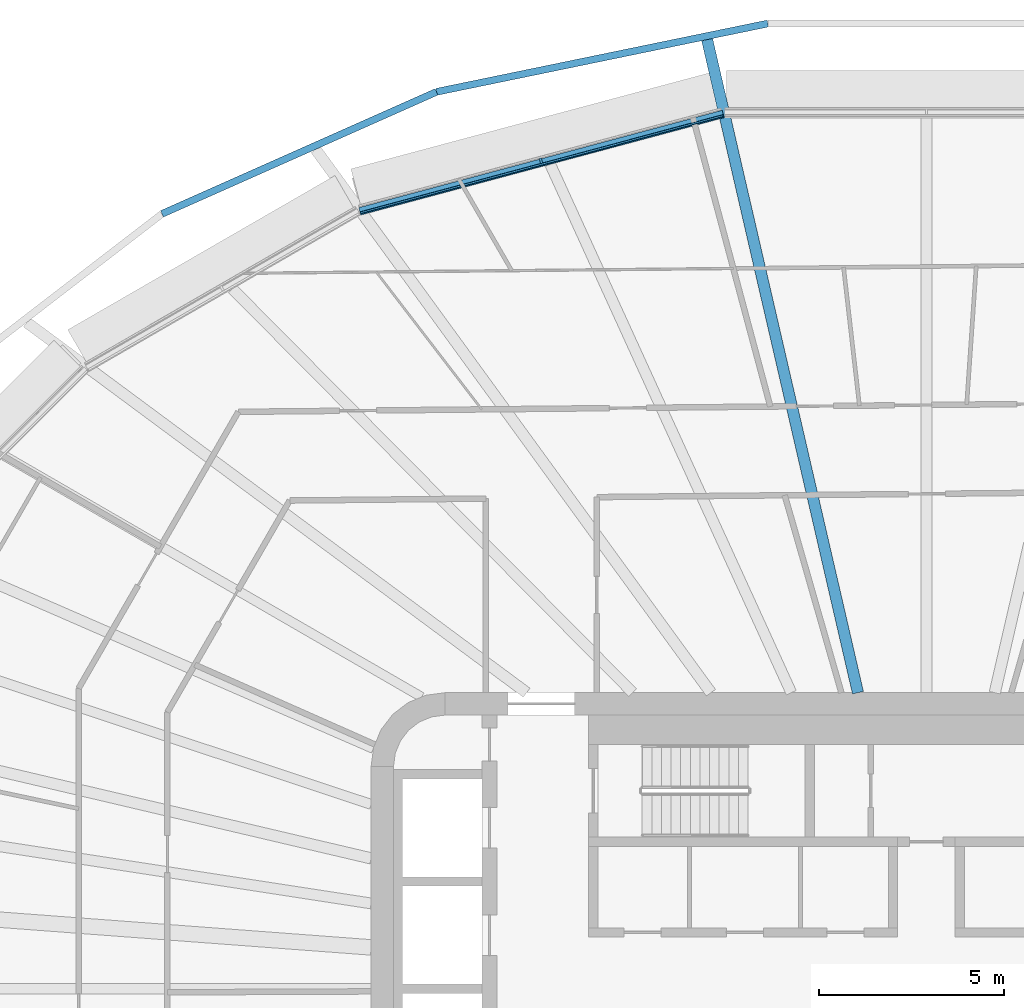
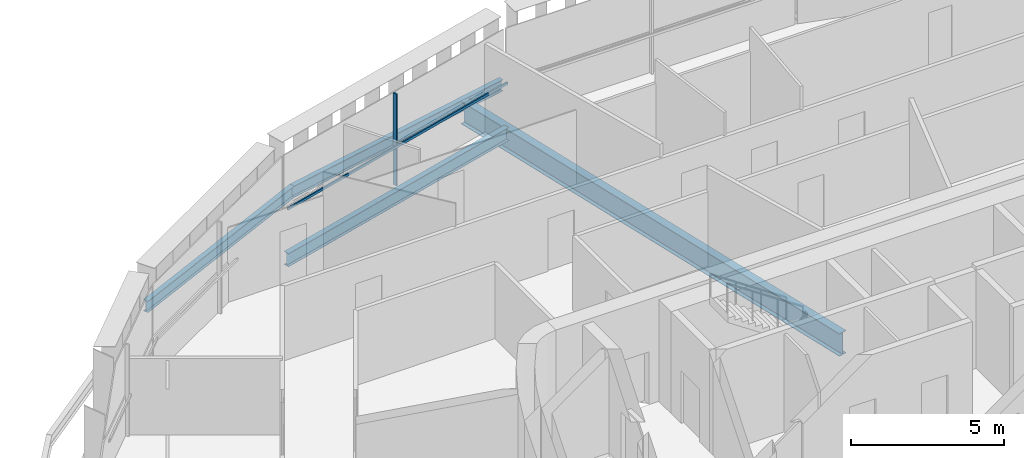
# One storey, part 8 of 26: 4 beams, 2 members, 1 element without a shape of its own.
"""IFC4 building model written with IfcOpenShell, lengths in metres."""

from ifc_helpers import new_model, si_unit, direction, frame, origin, origin_2d, place, context, subcontext, project, spatial, rectangle, i_section, extrude, material, layer, layer_set, material_profile, profile_set, type_object, element, aggregate, save


model = new_model("IFC4")

# Units and contexts
model_context = context("Model", 3, precision=1e-05, world=origin(), true_north=direction((0.0, 1.0)))
body_context = subcontext(model_context, "Body", "Model", "MODEL_VIEW")
ifc_project = project(units=[si_unit("LENGTHUNIT", "METRE"), si_unit("AREAUNIT", "SQUARE_METRE"), si_unit("VOLUMEUNIT", "CUBIC_METRE"), si_unit("PLANEANGLEUNIT", "RADIAN"), si_unit("MASSUNIT", "GRAM", prefix="KILO")], contexts=[model_context])

# Site, building, storey
site_placement = place(None, origin())
site = spatial("IfcSite", under=ifc_project, at=site_placement, CompositionType="ELEMENT")
building_placement = place(site_placement, origin())
building = spatial("IfcBuilding", under=site, at=building_placement, Name="Sahrelin Media Tower", CompositionType="ELEMENT")
storey_placement = place(building_placement, frame((0.0, 0.0, 88.199951171875)))
storey = spatial("IfcBuildingStorey", under=building, at=storey_placement, Name="L16", CompositionType="ELEMENT", Elevation=88.199951171875)

# Beam
ifc_material_1 = material(Name="Steel S355", Category="steel")
ifc_material_profile_1 = material_profile(ifc_material_1, i_section(OverallWidth=0.208740234375, OverallDepth=0.5283203125, WebThickness=0.009521484375, FlangeThickness=0.01318359375, FilletRadius=0.0126953125, at=origin_2d()), Name="UB 533x210x82")
ifc_profile_set_1 = profile_set([ifc_material_profile_1], Name="Steel S355")
beam_type_1 = type_object("IfcBeamType", Name="Edge beam EB6", PredefinedType="BEAM", material=ifc_profile_set_1)
beam_1_placement = place(storey_placement, frame((-15.306396484375, 21.001708984375, -0.4140625), z_axis=(0.965923284876, 0.258828529599, 0.0), x_axis=(-0.258828529599, 0.965923284876, 0.0)))
element("IfcBeam", 1, at=beam_1_placement, inside=storey, type_object=beam_type_1, Name="Edge beam L16-18", PredefinedType="BEAM", context=body_context, shape_type="SweptSolid", body=[
    extrude(i_section(OverallWidth=0.208740234375, OverallDepth=0.5283203125, WebThickness=0.009521484375, FlangeThickness=0.01318359375, FilletRadius=0.0126953125, at=origin_2d()), origin(), (0.0, 0.0, 1.0), 10.16455078125),
])

# Curtain wall, member
ifc_material_2 = material(Name="Champagne anodised aluminium 6063-T6", Category="aluminium")
ifc_layer = layer(ifc_material_2, 0.14990234375)
ifc_layer_set = layer_set([ifc_layer], Name="Tower ribbon curtain wall")
curtain_wall_type = type_object("IfcCurtainWallType", Name="Tower ribbon curtain wall", PredefinedType="NOTDEFINED", material=ifc_layer_set)
curtain_wall_placement = place(storey_placement, frame((-10.436279296875, 22.462158203125, 0.0), z_axis=(0.0, 0.0, 1.0), x_axis=(1.0, 0.0, 0.0)))
curtain_wall = element("IfcCurtainWall", 2, at=curtain_wall_placement, inside=storey, type_object=curtain_wall_type, Name="L16:CW:L16-07", PredefinedType="NOTDEFINED")
ifc_material_profile_2 = material_profile(ifc_material_2, rectangle(XDim=0.06005859375, YDim=0.14990234375, at=origin_2d()), Name="Mullion 60x150")
ifc_profile_set_2 = profile_set([ifc_material_profile_2], Name="Champagne anodised aluminium 6063-T6")
member_type_1 = type_object("IfcMemberType", Name="Mullion 60x150 CW1", PredefinedType="MULLION", material=ifc_profile_set_2)
member_1_placement = place(storey_placement, frame((-10.41162109375, 22.370361328125, 0.0), z_axis=(0.0, 0.0, 1.0), x_axis=(-0.965926278012, -0.258817359244, 0.0)))
member_1 = element("IfcMember", 3, at=member_1_placement, type_object=member_type_1, Name="L16:CWM:L16-07", PredefinedType="MULLION", context=body_context, shape_type="SweptSolid", body=[
    extrude(rectangle(XDim=0.06005859375, YDim=0.14990234375, at=origin_2d()), origin(), (0.0, 0.0, 1.0), 3.648681640625),
])

# Beams
ifc_material_profile_3 = material_profile(ifc_material_1, i_section(OverallWidth=0.30322265625, OverallDepth=0.903076171875, WebThickness=0.01513671875, FlangeThickness=0.020263671875, FilletRadius=0.01904296875, at=origin_2d()), Name="UB 914x305x201")
ifc_profile_set_3 = profile_set([ifc_material_profile_3], Name="Steel S355")
beam_type_2 = type_object("IfcBeamType", Name="Radial primary beam PB11", PredefinedType="BEAM", material=ifc_profile_set_3)
beam_2_placement = place(storey_placement, frame((-1.847900390625, 8.0, -0.6015625), z_axis=(-0.225045636479, 0.974348223944, 0.0), x_axis=(-0.974348223944, -0.225045636479, 0.0)))
element("IfcBeam", 4, at=beam_2_placement, inside=storey, type_object=beam_type_2, Name="Radial beam L16-07", PredefinedType="BEAM", context=body_context, shape_type="SweptSolid", body=[
    extrude(i_section(OverallWidth=0.30322265625, OverallDepth=0.903076171875, WebThickness=0.01513671875, FlangeThickness=0.020263671875, FilletRadius=0.01904296875, at=origin_2d()), origin(), (0.0, 0.0, 1.0), 18.10498046875),
])
ifc_material_profile_4 = material_profile(ifc_material_1, i_section(OverallWidth=0.1904296875, OverallDepth=0.45703125, WebThickness=0.009033203125, FlangeThickness=0.014404296875, FilletRadius=0.01025390625, at=origin_2d()), Name="UB 457x191x74")
ifc_profile_set_4 = profile_set([ifc_material_profile_4], Name="Steel S355")
beam_type_3 = type_object("IfcBeamType", Name="Tie chord TC5", PredefinedType="BEAM", material=ifc_profile_set_4)
beam_3_placement = place(storey_placement, frame((-4.281982421875, 26.076171875, -0.37841796875), z_axis=(-0.979391646245, -0.201970302932, 0.0), x_axis=(0.201970302932, -0.979391646245, 0.0)))
element("IfcBeam", 5, at=beam_3_placement, inside=storey, type_object=beam_type_3, Name="Tie chord L16-07", PredefinedType="BEAM", context=body_context, shape_type="SweptSolid", body=[
    extrude(i_section(OverallWidth=0.1904296875, OverallDepth=0.45703125, WebThickness=0.009033203125, FlangeThickness=0.014404296875, FilletRadius=0.01025390625, at=origin_2d()), origin(), (0.0, 0.0, 1.0), 9.13720703125),
])
beam_4_placement = place(storey_placement, frame((-13.23095703125, 24.230712890625, -0.37841796875), z_axis=(-0.913831394802, -0.406093809205, 0.0), x_axis=(0.406093809205, -0.913831394802, 0.0)))
element("IfcBeam", 6, at=beam_4_placement, inside=storey, type_object=beam_type_3, Name="Tie chord L16-08", PredefinedType="BEAM", context=body_context, shape_type="SweptSolid", body=[
    extrude(i_section(OverallWidth=0.1904296875, OverallDepth=0.45703125, WebThickness=0.009033203125, FlangeThickness=0.014404296875, FilletRadius=0.01025390625, at=origin_2d()), origin(), (0.0, 0.0, 1.0), 8.1162109375),
])

# Member
ifc_material_profile_5 = material_profile(ifc_material_2, rectangle(XDim=0.050048828125, YDim=0.10009765625, at=origin_2d()), Name="Transom 50x100")
ifc_profile_set_5 = profile_set([ifc_material_profile_5], Name="Champagne anodised aluminium 6063-T6")
member_type_2 = type_object("IfcMemberType", Name="Transom 50x100 CW1", PredefinedType="USERDEFINED", material=ifc_profile_set_5)
member_2_placement = place(storey_placement, frame((-5.49169921875, 23.5849609375, 1.60009765625), z_axis=(-0.965927940896, -0.258811153154, 0.0), x_axis=(0.258811153154, -0.965927940896, 0.0)))
member_2 = element("IfcMember", 7, at=member_2_placement, type_object=member_type_2, Name="L16:CWT:L16-07", ObjectType="TRANSOM", PredefinedType="USERDEFINED", context=body_context, shape_type="SweptSolid", body=[
    extrude(rectangle(XDim=0.050048828125, YDim=0.10009765625, at=origin_2d()), origin(), (0.0, 0.0, 1.0), 10.133056640625),
])

aggregate(curtain_wall, [member_1, member_2])

save(model, "model.ifc")
